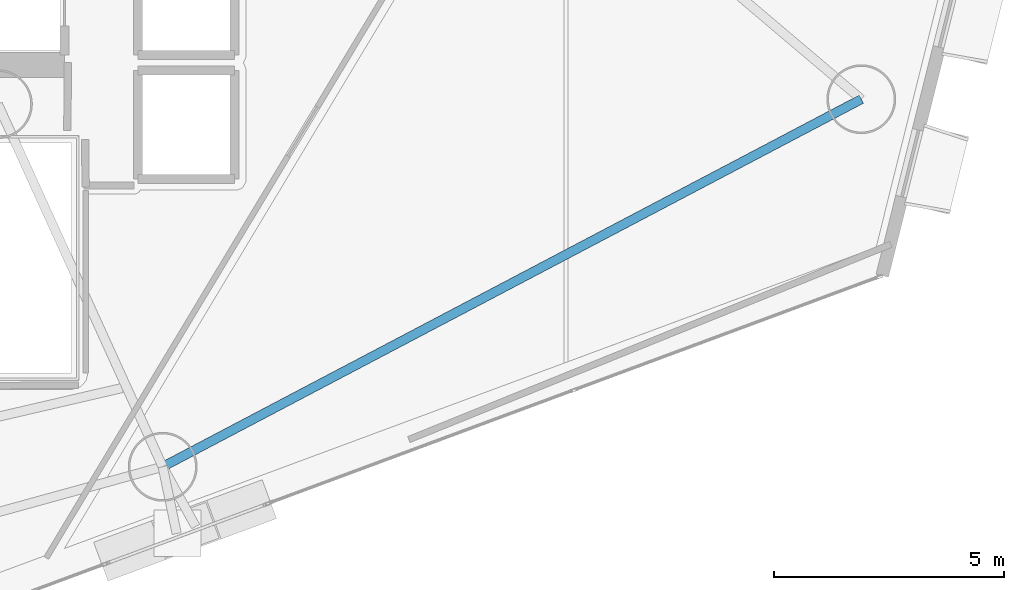
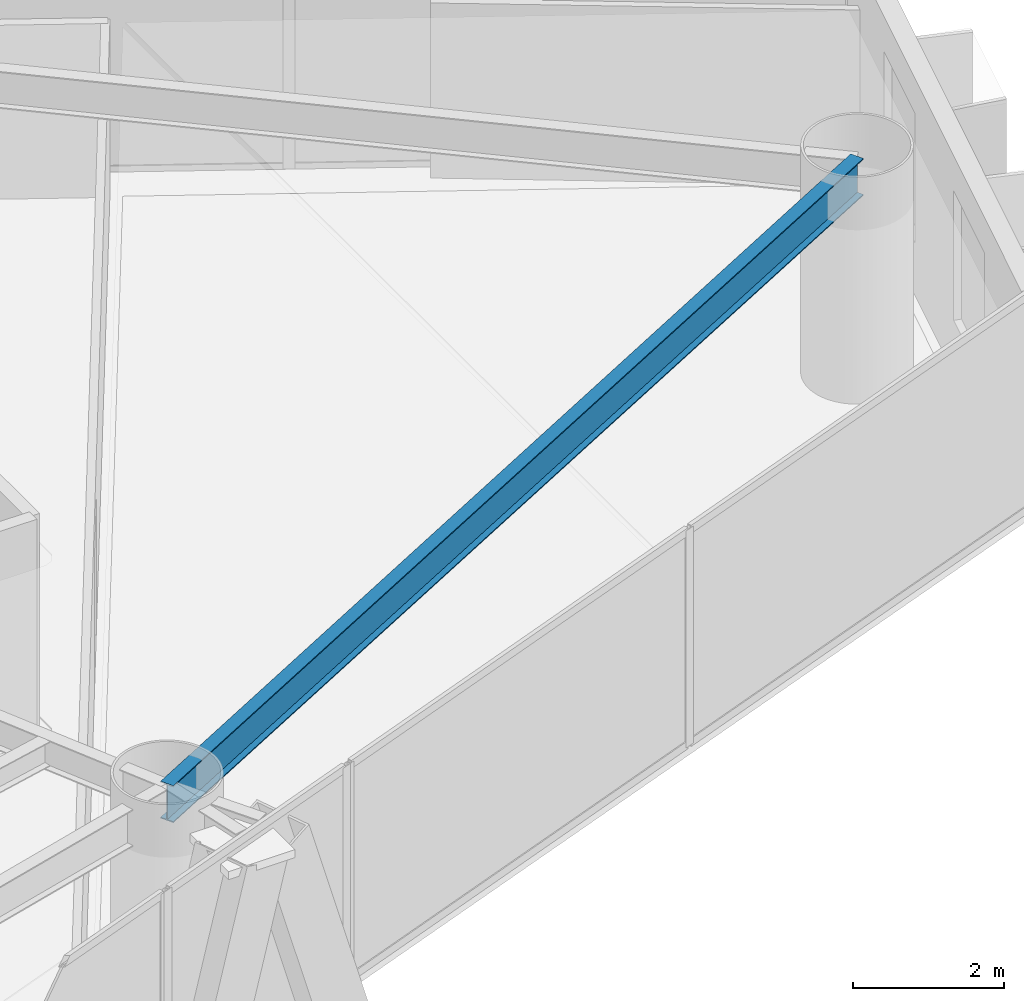
# One storey, part 6 of 21: 1 beam.
"""IFC4 building model written with IfcOpenShell, lengths in metres."""

import ifcopenshell
import ifcopenshell.guid

model = None  # the IFC model being written
_history = None  # IfcOwnerHistory: only IFC2X3 demands one
_inside = {}  # id of a spatial element -> (the spatial element, [elements in it])
_under = {}  # id of a project, library or spatial element -> (it, [spatial elements below it])
_declared = {}  # id of a project -> (the project, [libraries it declares])
_typed = {}  # id of a type object -> (the type object, [elements of that type])
_made_of = {}  # id of a material, layer set ... -> (it, [elements and type objects made of it])


def new_model(schema):
    """Start an empty IFC model of exactly this schema.

    Asked for "IFC4X3", IfcOpenShell would pick the latest addendum, in which some entities
    have other attributes; the version numbers below select the first issue.
    IFC2X3 requires an IfcOwnerHistory on every rooted entity: one is made here for all.
    """
    global model, _history
    if schema == "IFC4X3":
        model = ifcopenshell.file(schema_version=(4, 3, 0, 0))
    else:
        model = ifcopenshell.file(schema=schema)
    _inside.clear()
    _under.clear()
    _declared.clear()
    _typed.clear()
    _made_of.clear()
    _history = None
    if model.schema == "IFC2X3":
        org = make("IfcOrganization", Name="unknown")
        user = make(
            "IfcPersonAndOrganization",
            ThePerson=make("IfcPerson", FamilyName="unknown"),
            TheOrganization=org,
        )
        app = make(
            "IfcApplication",
            ApplicationDeveloper=org,
            Version="unknown",
            ApplicationFullName="unknown",
            ApplicationIdentifier="unknown",
        )
        _history = make(
            "IfcOwnerHistory",
            OwningUser=user,
            OwningApplication=app,
            ChangeAction="ADDED",
            CreationDate=0,
        )
    return model


def make(cls, **values):
    """One entity of the class cls with the attributes given. An attribute that is None is left unset."""
    return model.create_entity(
        cls, **{name: value for name, value in values.items() if value is not None}
    )


def rooted(cls, **values):
    """An entity with a GlobalId (a new one), such as an element, a storey or a relation."""
    return make(cls, GlobalId=ifcopenshell.guid.new(), OwnerHistory=_history, **values)


def si_unit(unit_type, name, prefix=None):
    """IfcSIUnit, for example si_unit("LENGTHUNIT", "METRE", prefix="MILLI")."""
    return make("IfcSIUnit", UnitType=unit_type, Prefix=prefix, Name=name)


def assignment(units):
    """IfcUnitAssignment: the units of a project."""
    return None if units is None else make("IfcUnitAssignment", Units=units)


def point(xyz):
    """IfcCartesianPoint."""
    return None if xyz is None else make("IfcCartesianPoint", Coordinates=xyz)


def direction(xyz):
    """IfcDirection."""
    return None if xyz is None else make("IfcDirection", DirectionRatios=xyz)


def frame(location, z_axis=None, x_axis=None):
    """IfcAxis2Placement3D, a coordinate frame: its origin and axes. An axis left out is left unset."""
    return make(
        "IfcAxis2Placement3D",
        Location=point(location),
        Axis=direction(z_axis),
        RefDirection=direction(x_axis),
    )


def frame_2d(location, x_axis=None):
    """IfcAxis2Placement2D, a coordinate frame in the plane: its origin and x axis."""
    return make(
        "IfcAxis2Placement2D", Location=point(location), RefDirection=direction(x_axis)
    )


def origin():
    """The frame at (0, 0, 0) with its axes left unset."""
    return frame((0.0, 0.0, 0.0))


def origin_2d():
    """The frame at (0, 0) in the plane with its x axis left unset."""
    return frame_2d((0.0, 0.0))


def place(relative_to, where):
    """IfcLocalPlacement: puts the frame where relative to a parent placement (None: the world)."""
    return make(
        "IfcLocalPlacement", PlacementRelTo=relative_to, RelativePlacement=where
    )


def context(
    kind, dimensions, precision=None, world=None, true_north=None, identifier=None
):
    """IfcGeometricRepresentationContext, for example the 3D "Model" context."""
    return make(
        "IfcGeometricRepresentationContext",
        ContextIdentifier=identifier,
        ContextType=kind,
        CoordinateSpaceDimension=dimensions,
        Precision=precision,
        WorldCoordinateSystem=world,
        TrueNorth=true_north,
    )


def subcontext(parent, identifier, kind, view, scale=None):
    """IfcGeometricRepresentationSubContext, for example "Body" below "Model"."""
    return make(
        "IfcGeometricRepresentationSubContext",
        ContextIdentifier=identifier,
        ContextType=kind,
        ParentContext=parent,
        TargetScale=scale,
        TargetView=view,
    )


def project(units=None, contexts=None):
    """IfcProject with its units and contexts."""
    return rooted(
        "IfcProject",
        Name="project",
        RepresentationContexts=contexts,
        UnitsInContext=assignment(units),
    )


def spatial(cls, under=None, at=None, **own):
    """A site, building, storey or space (cls), placed at a placement, below another one or the project."""
    s = rooted(cls, ObjectPlacement=at, **own)
    if under is not None:
        _under.setdefault(under.id(), (under, []))[1].append(s)
    return s


def profile(cls, at=None, kind="AREA", **sizes):
    """A parametric profile (cls). Its sizes go by their IFC names, for example OverallWidth=200.0."""
    return make(cls, ProfileType=kind, Position=at, **sizes)


def i_section(**sizes):
    """IfcIShapeProfileDef."""
    return profile("IfcIShapeProfileDef", **sizes)


def extrude(swept, where, along, depth):
    """IfcExtrudedAreaSolid: the profile swept, set in the frame where, extruded along a direction by depth."""
    return make(
        "IfcExtrudedAreaSolid",
        SweptArea=swept,
        Position=where,
        ExtrudedDirection=direction(along),
        Depth=depth,
    )


def shape(context_of_items, identifier, shape_type, items):
    """IfcShapeRepresentation: the items that make up one representation, for example the "Body"."""
    return make(
        "IfcShapeRepresentation",
        ContextOfItems=context_of_items,
        RepresentationIdentifier=identifier,
        RepresentationType=shape_type,
        Items=items,
    )


def material(Name=None, Category=None):
    """IfcMaterial."""
    return make("IfcMaterial", Name=Name, Category=Category)


def material_profile(
    of_material, cross_section, Name=None, Category=None, Priority=None
):
    """IfcMaterialProfile: a cross section and its material."""
    return make(
        "IfcMaterialProfile",
        Name=Name,
        Material=of_material,
        Profile=cross_section,
        Priority=Priority,
        Category=Category,
    )


def profile_set(profiles, Name=None, composite=None):
    """IfcMaterialProfileSet."""
    return make(
        "IfcMaterialProfileSet",
        Name=Name,
        MaterialProfiles=profiles,
        CompositeProfile=composite,
    )


def made_of(thing, what):
    """Note that an element or type object is made of a material, layer set ...; save() writes the relation."""
    if what is not None:
        _made_of.setdefault(what.id(), (what, []))[1].append(thing)
    return thing


def type_object(cls, material=None, **own):
    """A type object (cls), such as IfcWallType, which elements share."""
    return made_of(rooted(cls, **own), material)


def element(
    cls,
    number,
    at=None,
    inside=None,
    cuts=None,
    type_object=None,
    material=None,
    context=None,
    identifier="Body",
    shape_type=None,
    held_by="IfcProductDefinitionShape",
    body=None,
    shapes=None,
    **own,
):
    """One element of the class cls, such as IfcWall. Its Tag is "e" and its number.

    at: its placement. inside: the storey or other place that contains it. cuts: it is an
    opening in that element (IfcRelVoidsElement). A single representation is given by context,
    identifier, shape_type and body (its items); several are given by shapes. held_by: the class
    of the entity that holds the representations. save() writes the other relations.
    """
    e = rooted(cls, Tag="e%d" % number, ObjectPlacement=at, **own)
    if body is not None:
        shapes = [shape(context, identifier, shape_type, body)]
    if shapes is not None:
        e.Representation = make(held_by, Representations=shapes)
    if inside is not None:
        _inside.setdefault(inside.id(), (inside, []))[1].append(e)
    if cuts is not None:
        rooted(
            "IfcRelVoidsElement", RelatingBuildingElement=cuts, RelatedOpeningElement=e
        )
    if type_object is not None:
        _typed.setdefault(type_object.id(), (type_object, []))[1].append(e)
    return made_of(e, material)


def aggregate(whole, parts):
    """IfcRelAggregates: a whole, such as a stair, and the parts it consists of."""
    return rooted("IfcRelAggregates", RelatingObject=whole, RelatedObjects=parts)


def save(model, path):
    """Write the relations noted so far, then the file.

    IfcRelAggregates (storeys below a building ...), IfcRelContainedInSpatialStructure (elements
    in a storey), IfcRelDefinesByType, IfcRelAssociatesMaterial and IfcRelDeclares: one each for
    every whole, place, type object, material and project.
    """
    for whole, parts in _under.values():
        aggregate(whole, parts)
    for where, things in _inside.values():
        rooted(
            "IfcRelContainedInSpatialStructure",
            RelatedElements=things,
            RelatingStructure=where,
        )
    for kind, things in _typed.values():
        rooted("IfcRelDefinesByType", RelatedObjects=things, RelatingType=kind)
    for what, things in _made_of.values():
        rooted("IfcRelAssociatesMaterial", RelatedObjects=things, RelatingMaterial=what)
    for by, libraries in _declared.values():
        rooted("IfcRelDeclares", RelatingContext=by, RelatedDefinitions=libraries)
    model.write(path)


model = new_model("IFC4")

# Units and contexts
model_context = context("Model", 3, precision=1e-05, world=origin(), true_north=direction((0.0, 1.0)))
body_context = subcontext(model_context, "Body", "Model", "MODEL_VIEW")
ifc_project = project(units=[si_unit("LENGTHUNIT", "METRE"), si_unit("AREAUNIT", "SQUARE_METRE"), si_unit("VOLUMEUNIT", "CUBIC_METRE"), si_unit("PLANEANGLEUNIT", "RADIAN"), si_unit("MASSUNIT", "GRAM", prefix="KILO")], contexts=[model_context])

# Site, building, storey
site_placement = place(None, origin())
site = spatial("IfcSite", under=ifc_project, at=site_placement, CompositionType="ELEMENT")
building_placement = place(site_placement, origin())
building = spatial("IfcBuilding", under=site, at=building_placement, Name="Qianvela Tower", CompositionType="ELEMENT")
storey_placement = place(building_placement, frame((0.0, 0.0, 127.39990234375)))
storey = spatial("IfcBuildingStorey", under=building, at=storey_placement, Name="L32", CompositionType="ELEMENT", Elevation=127.39990234375)

# Beam
ifc_material = material(Name="Steel Q355B", Category="steel")
ifc_material_profile = material_profile(ifc_material, i_section(OverallWidth=0.199951171875, OverallDepth=0.60009765625, WebThickness=0.010986328125, FlangeThickness=0.01708984375, at=origin_2d()), Name="HN600x200x11x17")
ifc_profile_set = profile_set([ifc_material_profile], Name="Steel Q355B")
beam_type = type_object("IfcBeamType", Name="BM-HN600-GIRD", PredefinedType="BEAM", material=ifc_profile_set)
beam_placement = place(storey_placement, frame((41.988037109375, 15.95703125, 3.218017578125), z_axis=(0.884971229381, 0.465645705627, 0.0), x_axis=(-0.465645705627, 0.884971229381, 0.0)))
element("IfcBeam", 1, at=beam_placement, inside=storey, type_object=beam_type, Name="L32 Perimeter Ring Spandrel Girder 6", PredefinedType="BEAM", context=body_context, shape_type="SweptSolid", body=[
    extrude(i_section(OverallWidth=0.199951171875, OverallDepth=0.60009765625, WebThickness=0.010986328125, FlangeThickness=0.01708984375, at=origin_2d()), origin(), (0.0, 0.0, 1.0), 17.1826171875),
])

save(model, "model.ifc")
